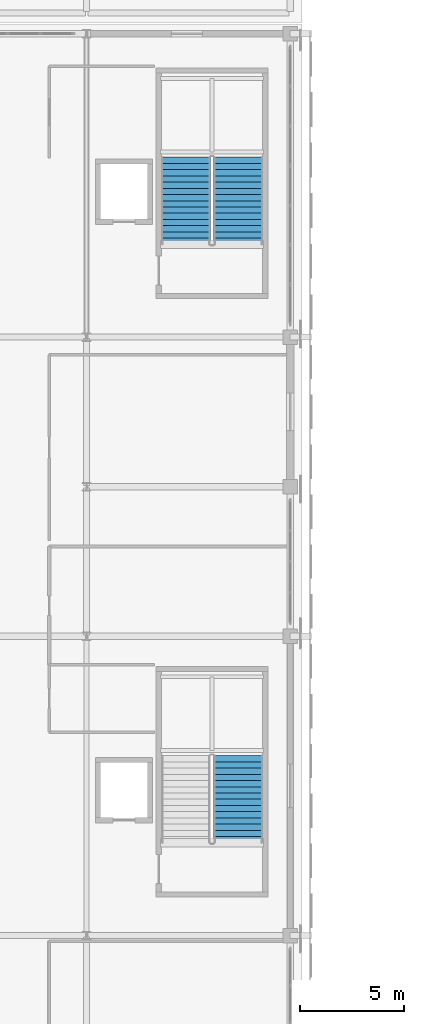
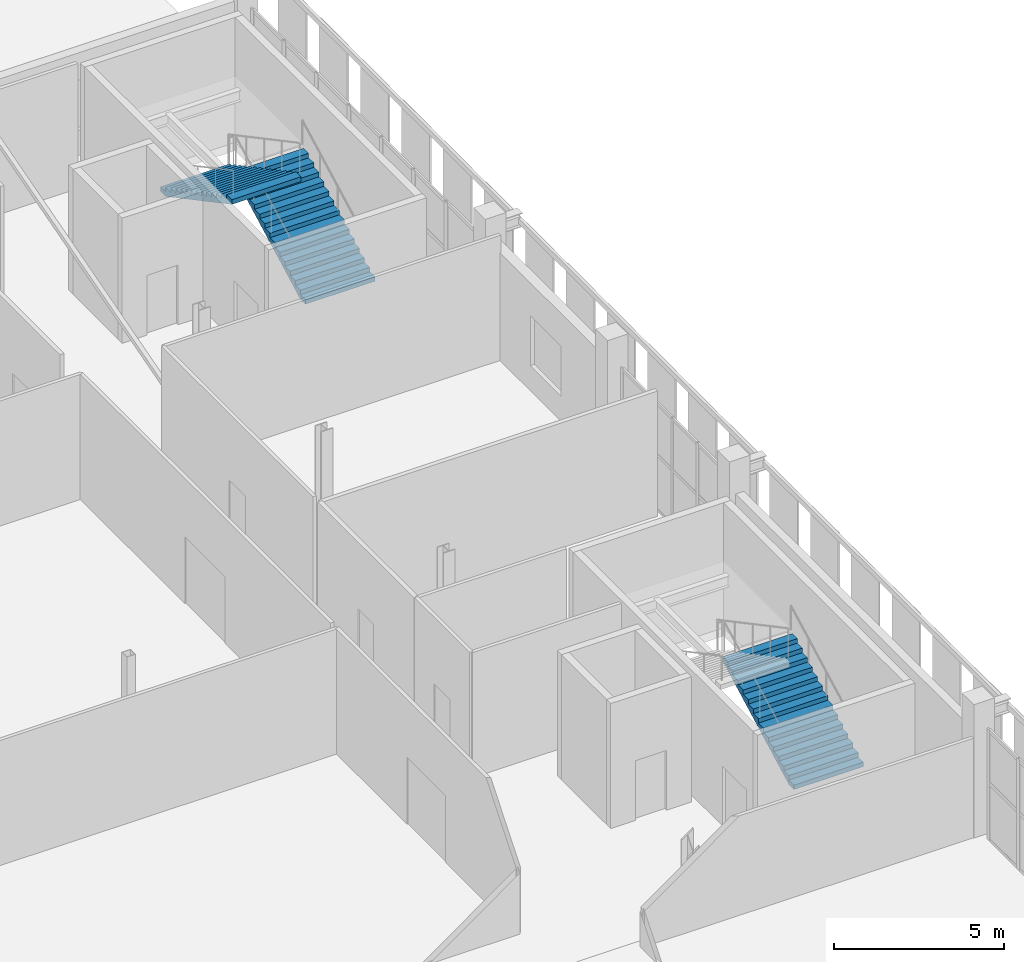
# One storey, part 74 of 104: 3 stair flights, 2 elements without a shape of their own.
"""IFC4 building model written with IfcOpenShell, lengths in metres."""

import ifcopenshell
import ifcopenshell.guid

model = None  # the IFC model being written
_history = None  # IfcOwnerHistory: only IFC2X3 demands one
_inside = {}  # id of a spatial element -> (the spatial element, [elements in it])
_under = {}  # id of a project, library or spatial element -> (it, [spatial elements below it])
_declared = {}  # id of a project -> (the project, [libraries it declares])
_typed = {}  # id of a type object -> (the type object, [elements of that type])
_made_of = {}  # id of a material, layer set ... -> (it, [elements and type objects made of it])


def new_model(schema):
    """Start an empty IFC model of exactly this schema.

    Asked for "IFC4X3", IfcOpenShell would pick the latest addendum, in which some entities
    have other attributes; the version numbers below select the first issue.
    IFC2X3 requires an IfcOwnerHistory on every rooted entity: one is made here for all.
    """
    global model, _history
    if schema == "IFC4X3":
        model = ifcopenshell.file(schema_version=(4, 3, 0, 0))
    else:
        model = ifcopenshell.file(schema=schema)
    _inside.clear()
    _under.clear()
    _declared.clear()
    _typed.clear()
    _made_of.clear()
    _history = None
    if model.schema == "IFC2X3":
        org = make("IfcOrganization", Name="unknown")
        user = make(
            "IfcPersonAndOrganization",
            ThePerson=make("IfcPerson", FamilyName="unknown"),
            TheOrganization=org,
        )
        app = make(
            "IfcApplication",
            ApplicationDeveloper=org,
            Version="unknown",
            ApplicationFullName="unknown",
            ApplicationIdentifier="unknown",
        )
        _history = make(
            "IfcOwnerHistory",
            OwningUser=user,
            OwningApplication=app,
            ChangeAction="ADDED",
            CreationDate=0,
        )
    return model


def make(cls, **values):
    """One entity of the class cls with the attributes given. An attribute that is None is left unset."""
    return model.create_entity(
        cls, **{name: value for name, value in values.items() if value is not None}
    )


def rooted(cls, **values):
    """An entity with a GlobalId (a new one), such as an element, a storey or a relation."""
    return make(cls, GlobalId=ifcopenshell.guid.new(), OwnerHistory=_history, **values)


def si_unit(unit_type, name, prefix=None):
    """IfcSIUnit, for example si_unit("LENGTHUNIT", "METRE", prefix="MILLI")."""
    return make("IfcSIUnit", UnitType=unit_type, Prefix=prefix, Name=name)


def assignment(units):
    """IfcUnitAssignment: the units of a project."""
    return None if units is None else make("IfcUnitAssignment", Units=units)


def point(xyz):
    """IfcCartesianPoint."""
    return None if xyz is None else make("IfcCartesianPoint", Coordinates=xyz)


def direction(xyz):
    """IfcDirection."""
    return None if xyz is None else make("IfcDirection", DirectionRatios=xyz)


def frame(location, z_axis=None, x_axis=None):
    """IfcAxis2Placement3D, a coordinate frame: its origin and axes. An axis left out is left unset."""
    return make(
        "IfcAxis2Placement3D",
        Location=point(location),
        Axis=direction(z_axis),
        RefDirection=direction(x_axis),
    )


def origin():
    """The frame at (0, 0, 0) with its axes left unset."""
    return frame((0.0, 0.0, 0.0))


def place(relative_to, where):
    """IfcLocalPlacement: puts the frame where relative to a parent placement (None: the world)."""
    return make(
        "IfcLocalPlacement", PlacementRelTo=relative_to, RelativePlacement=where
    )


def context(
    kind, dimensions, precision=None, world=None, true_north=None, identifier=None
):
    """IfcGeometricRepresentationContext, for example the 3D "Model" context."""
    return make(
        "IfcGeometricRepresentationContext",
        ContextIdentifier=identifier,
        ContextType=kind,
        CoordinateSpaceDimension=dimensions,
        Precision=precision,
        WorldCoordinateSystem=world,
        TrueNorth=true_north,
    )


def subcontext(parent, identifier, kind, view, scale=None):
    """IfcGeometricRepresentationSubContext, for example "Body" below "Model"."""
    return make(
        "IfcGeometricRepresentationSubContext",
        ContextIdentifier=identifier,
        ContextType=kind,
        ParentContext=parent,
        TargetScale=scale,
        TargetView=view,
    )


def project(units=None, contexts=None):
    """IfcProject with its units and contexts."""
    return rooted(
        "IfcProject",
        Name="project",
        RepresentationContexts=contexts,
        UnitsInContext=assignment(units),
    )


def spatial(cls, under=None, at=None, **own):
    """A site, building, storey or space (cls), placed at a placement, below another one or the project."""
    s = rooted(cls, ObjectPlacement=at, **own)
    if under is not None:
        _under.setdefault(under.id(), (under, []))[1].append(s)
    return s


def polyline(points):
    """IfcPolyline through the points."""
    return make("IfcPolyline", Points=[point(p) for p in points])


def outline(outer, holes=None, kind="AREA"):
    """IfcArbitraryClosedProfileDef: a profile drawn as a closed curve; with holes, ...WithVoids."""
    if holes is None:
        return make("IfcArbitraryClosedProfileDef", ProfileType=kind, OuterCurve=outer)
    return make(
        "IfcArbitraryProfileDefWithVoids",
        ProfileType=kind,
        OuterCurve=outer,
        InnerCurves=holes,
    )


def extrude(swept, where, along, depth):
    """IfcExtrudedAreaSolid: the profile swept, set in the frame where, extruded along a direction by depth."""
    return make(
        "IfcExtrudedAreaSolid",
        SweptArea=swept,
        Position=where,
        ExtrudedDirection=direction(along),
        Depth=depth,
    )


def shape(context_of_items, identifier, shape_type, items):
    """IfcShapeRepresentation: the items that make up one representation, for example the "Body"."""
    return make(
        "IfcShapeRepresentation",
        ContextOfItems=context_of_items,
        RepresentationIdentifier=identifier,
        RepresentationType=shape_type,
        Items=items,
    )


def material(Name=None, Category=None):
    """IfcMaterial."""
    return make("IfcMaterial", Name=Name, Category=Category)


def made_of(thing, what):
    """Note that an element or type object is made of a material, layer set ...; save() writes the relation."""
    if what is not None:
        _made_of.setdefault(what.id(), (what, []))[1].append(thing)
    return thing


def type_object(cls, material=None, **own):
    """A type object (cls), such as IfcWallType, which elements share."""
    return made_of(rooted(cls, **own), material)


def element(
    cls,
    number,
    at=None,
    inside=None,
    cuts=None,
    type_object=None,
    material=None,
    context=None,
    identifier="Body",
    shape_type=None,
    held_by="IfcProductDefinitionShape",
    body=None,
    shapes=None,
    **own,
):
    """One element of the class cls, such as IfcWall. Its Tag is "e" and its number.

    at: its placement. inside: the storey or other place that contains it. cuts: it is an
    opening in that element (IfcRelVoidsElement). A single representation is given by context,
    identifier, shape_type and body (its items); several are given by shapes. held_by: the class
    of the entity that holds the representations. save() writes the other relations.
    """
    e = rooted(cls, Tag="e%d" % number, ObjectPlacement=at, **own)
    if body is not None:
        shapes = [shape(context, identifier, shape_type, body)]
    if shapes is not None:
        e.Representation = make(held_by, Representations=shapes)
    if inside is not None:
        _inside.setdefault(inside.id(), (inside, []))[1].append(e)
    if cuts is not None:
        rooted(
            "IfcRelVoidsElement", RelatingBuildingElement=cuts, RelatedOpeningElement=e
        )
    if type_object is not None:
        _typed.setdefault(type_object.id(), (type_object, []))[1].append(e)
    return made_of(e, material)


def aggregate(whole, parts):
    """IfcRelAggregates: a whole, such as a stair, and the parts it consists of."""
    return rooted("IfcRelAggregates", RelatingObject=whole, RelatedObjects=parts)


def save(model, path):
    """Write the relations noted so far, then the file.

    IfcRelAggregates (storeys below a building ...), IfcRelContainedInSpatialStructure (elements
    in a storey), IfcRelDefinesByType, IfcRelAssociatesMaterial and IfcRelDeclares: one each for
    every whole, place, type object, material and project.
    """
    for whole, parts in _under.values():
        aggregate(whole, parts)
    for where, things in _inside.values():
        rooted(
            "IfcRelContainedInSpatialStructure",
            RelatedElements=things,
            RelatingStructure=where,
        )
    for kind, things in _typed.values():
        rooted("IfcRelDefinesByType", RelatedObjects=things, RelatingType=kind)
    for what, things in _made_of.values():
        rooted("IfcRelAssociatesMaterial", RelatedObjects=things, RelatingMaterial=what)
    for by, libraries in _declared.values():
        rooted("IfcRelDeclares", RelatingContext=by, RelatedDefinitions=libraries)
    model.write(path)


model = new_model("IFC4")

# Units and contexts
model_context = context("Model", 3, precision=1e-05, world=origin(), true_north=direction((0.0, 1.0)))
body_context = subcontext(model_context, "Body", "Model", "MODEL_VIEW")
ifc_project = project(units=[si_unit("LENGTHUNIT", "METRE"), si_unit("AREAUNIT", "SQUARE_METRE"), si_unit("VOLUMEUNIT", "CUBIC_METRE"), si_unit("PLANEANGLEUNIT", "RADIAN"), si_unit("MASSUNIT", "GRAM", prefix="KILO")], contexts=[model_context])

# Site, building, storey
site_placement = place(None, origin())
site = spatial("IfcSite", under=ifc_project, at=site_placement, CompositionType="ELEMENT")
building_placement = place(site_placement, origin())
building = spatial("IfcBuilding", under=site, at=building_placement, Name="Koshinbarg Plaza Stadium", CompositionType="ELEMENT")
storey_placement = place(building_placement, frame((0.0, 0.0, 19.800048828125)))
storey = spatial("IfcBuildingStorey", under=building, at=storey_placement, Name="L04", CompositionType="ELEMENT", Elevation=19.800048828125)

# Stair, stair flight
ifc_material = material(Name="Concrete C35/45", Category="concrete")
stair_type = type_object("IfcStairType", Name="ST-CORE-48", PredefinedType="HALF_TURN_STAIR", material=ifc_material)
stair_1_placement = place(storey_placement, origin())
stair_1 = element("IfcStair", 1, at=stair_1_placement, inside=storey, type_object=stair_type, Name="L04 Protected Exit Stair C09", PredefinedType="HALF_TURN_STAIR")
stair_flight_type = type_object("IfcStairFlightType", Name="SFL-CORE-48", PredefinedType="STRAIGHT", material=ifc_material)
stair_flight_1_placement = place(storey_placement, frame((215.889892578125, 87.56005859375, 0.0), z_axis=(0.0, 0.0, 1.0), x_axis=(0.0, 1.0, 0.0)))
stair_flight_1 = element("IfcStairFlight", 2, at=stair_flight_1_placement, type_object=stair_flight_type, Name="L04 Protected Exit Stair C09 flight 101", NumberOfRisers=15, NumberOfTreads=14, PredefinedType="STRAIGHT", RiserHeight=0.16, TreadLength=0.3, context=body_context, shape_type="SweptSolid", body=[
    extrude(outline(polyline([(0.0, 0.0), (0.0, 0.159912109375), (0.300048828125, 0.159912109375), (0.300048828125, 0.320068359375), (0.60009765625, 0.320068359375), (0.60009765625, 0.47998046875), (0.89990234375, 0.47998046875), (0.89990234375, 0.639892578125), (1.199951171875, 0.639892578125), (1.199951171875, 0.800048828125), (1.5, 0.800048828125), (1.5, 0.9599609375), (1.800048828125, 0.9599609375), (1.800048828125, 1.1201171875), (2.10009765625, 1.1201171875), (2.10009765625, 1.280029296875), (2.39990234375, 1.280029296875), (2.39990234375, 1.43994140625), (2.699951171875, 1.43994140625), (2.699951171875, 1.60009765625), (3.0, 1.60009765625), (3.0, 1.760009765625), (3.300048828125, 1.760009765625), (3.300048828125, 1.919921875), (3.60009765625, 1.919921875), (3.60009765625, 2.080078125), (3.89990234375, 2.080078125), (3.89990234375, 2.239990234375), (4.199951171875, 2.239990234375), (4.199951171875, 2.39990234375), (4.199951171875, 2.070068359375), (0.318603515625, 0.0), (0.0, 0.0)])), frame((0.0, 1.18017578125, 0.0), z_axis=(0.0, -1.0, 0.0), x_axis=(1.0, 0.0, 0.0)), (0.0, 0.0, 1.0), 2.360107421875),
])
aggregate(stair_1, [stair_flight_1])

# Stair, stair flights
stair_2_placement = place(storey_placement, origin())
stair_2 = element("IfcStair", 3, at=stair_2_placement, inside=storey, type_object=stair_type, Name="L04 Protected Exit Stair C10", PredefinedType="HALF_TURN_STAIR")
stair_flight_2_placement = place(storey_placement, frame((215.889892578125, 116.360107421875, 0.0), z_axis=(0.0, 0.0, 1.0), x_axis=(0.0, 1.0, 0.0)))
stair_flight_2 = element("IfcStairFlight", 4, at=stair_flight_2_placement, type_object=stair_flight_type, Name="L04 Protected Exit Stair C10 flight 111", NumberOfRisers=15, NumberOfTreads=14, PredefinedType="STRAIGHT", RiserHeight=0.16, TreadLength=0.3, context=body_context, shape_type="SweptSolid", body=[
    extrude(outline(polyline([(0.0, 0.0), (0.0, 0.159912109375), (0.300048828125, 0.159912109375), (0.300048828125, 0.320068359375), (0.60009765625, 0.320068359375), (0.60009765625, 0.47998046875), (0.89990234375, 0.47998046875), (0.89990234375, 0.639892578125), (1.199951171875, 0.639892578125), (1.199951171875, 0.800048828125), (1.5, 0.800048828125), (1.5, 0.9599609375), (1.800048828125, 0.9599609375), (1.800048828125, 1.1201171875), (2.10009765625, 1.1201171875), (2.10009765625, 1.280029296875), (2.39990234375, 1.280029296875), (2.39990234375, 1.43994140625), (2.699951171875, 1.43994140625), (2.699951171875, 1.60009765625), (3.0, 1.60009765625), (3.0, 1.760009765625), (3.300048828125, 1.760009765625), (3.300048828125, 1.919921875), (3.60009765625, 1.919921875), (3.60009765625, 2.080078125), (3.89990234375, 2.080078125), (3.89990234375, 2.239990234375), (4.199951171875, 2.239990234375), (4.199951171875, 2.39990234375), (4.199951171875, 2.070068359375), (0.318603515625, 0.0), (0.0, 0.0)])), frame((0.0, 1.18017578125, 0.0), z_axis=(0.0, -1.0, 0.0), x_axis=(1.0, 0.0, 0.0)), (0.0, 0.0, 1.0), 2.360107421875),
])
stair_flight_3_placement = place(storey_placement, frame((213.3798828125, 120.56005859375, 2.39990234375), z_axis=(0.0, 0.0, 1.0), x_axis=(0.0, -1.0, 0.0)))
stair_flight_3 = element("IfcStairFlight", 5, at=stair_flight_3_placement, type_object=stair_flight_type, Name="L04 Protected Exit Stair C10 flight 112", NumberOfRisers=15, NumberOfTreads=14, PredefinedType="STRAIGHT", RiserHeight=0.16, TreadLength=0.3, context=body_context, shape_type="SweptSolid", body=[
    extrude(outline(polyline([(0.0, 0.0), (0.0, 0.159912109375), (0.300048828125, 0.159912109375), (0.300048828125, 0.320068359375), (0.60009765625, 0.320068359375), (0.60009765625, 0.47998046875), (0.89990234375, 0.47998046875), (0.89990234375, 0.639892578125), (1.199951171875, 0.639892578125), (1.199951171875, 0.800048828125), (1.5, 0.800048828125), (1.5, 0.9599609375), (1.800048828125, 0.9599609375), (1.800048828125, 1.1201171875), (2.10009765625, 1.1201171875), (2.10009765625, 1.280029296875), (2.39990234375, 1.280029296875), (2.39990234375, 1.43994140625), (2.699951171875, 1.43994140625), (2.699951171875, 1.60009765625), (3.0, 1.60009765625), (3.0, 1.760009765625), (3.300048828125, 1.760009765625), (3.300048828125, 1.919921875), (3.60009765625, 1.919921875), (3.60009765625, 2.080078125), (3.89990234375, 2.080078125), (3.89990234375, 2.239990234375), (4.199951171875, 2.239990234375), (4.199951171875, 2.39990234375), (4.199951171875, 2.070068359375), (0.318603515625, 0.0), (0.0, 0.0)])), frame((0.0, 1.18017578125, 0.0), z_axis=(0.0, -1.0, 0.0), x_axis=(1.0, 0.0, 0.0)), (0.0, 0.0, 1.0), 2.360107421875),
])
aggregate(stair_2, [stair_flight_2, stair_flight_3])

save(model, "model.ifc")
